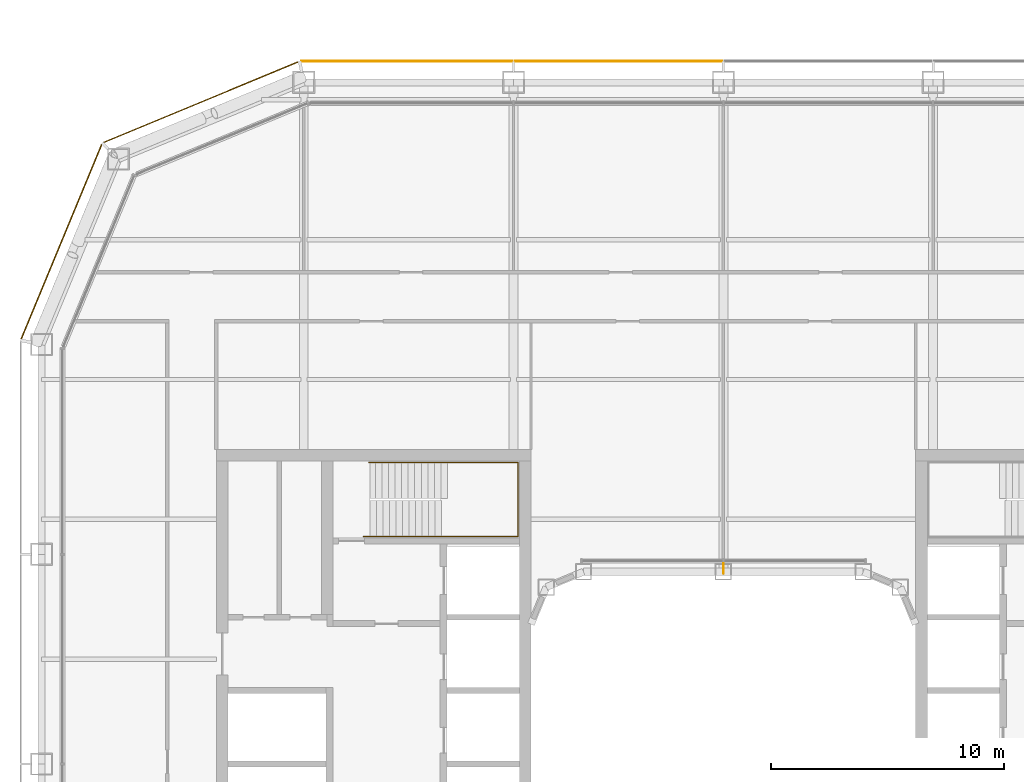
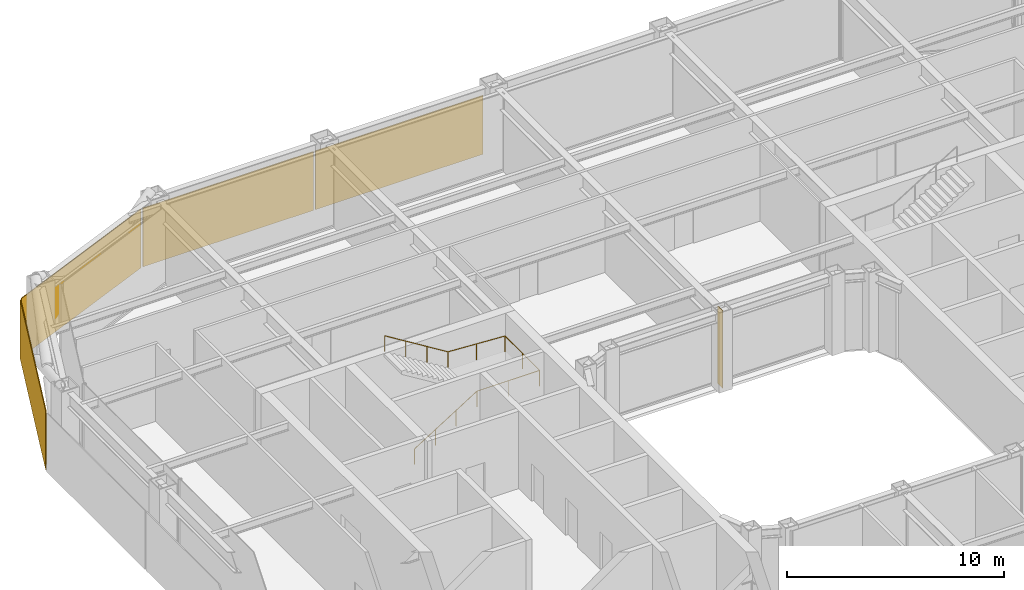
# One storey, part 21 of 23: 4 coverings, 1 railing, 1 shading device.
"""IFC4 building model written with IfcOpenShell, lengths in metres."""

import ifcopenshell
import ifcopenshell.guid

model = None  # the IFC model being written
_history = None  # IfcOwnerHistory: only IFC2X3 demands one
_inside = {}  # id of a spatial element -> (the spatial element, [elements in it])
_under = {}  # id of a project, library or spatial element -> (it, [spatial elements below it])
_declared = {}  # id of a project -> (the project, [libraries it declares])
_typed = {}  # id of a type object -> (the type object, [elements of that type])
_made_of = {}  # id of a material, layer set ... -> (it, [elements and type objects made of it])


def new_model(schema):
    """Start an empty IFC model of exactly this schema.

    Asked for "IFC4X3", IfcOpenShell would pick the latest addendum, in which some entities
    have other attributes; the version numbers below select the first issue.
    IFC2X3 requires an IfcOwnerHistory on every rooted entity: one is made here for all.
    """
    global model, _history
    if schema == "IFC4X3":
        model = ifcopenshell.file(schema_version=(4, 3, 0, 0))
    else:
        model = ifcopenshell.file(schema=schema)
    _inside.clear()
    _under.clear()
    _declared.clear()
    _typed.clear()
    _made_of.clear()
    _history = None
    if model.schema == "IFC2X3":
        org = make("IfcOrganization", Name="unknown")
        user = make(
            "IfcPersonAndOrganization",
            ThePerson=make("IfcPerson", FamilyName="unknown"),
            TheOrganization=org,
        )
        app = make(
            "IfcApplication",
            ApplicationDeveloper=org,
            Version="unknown",
            ApplicationFullName="unknown",
            ApplicationIdentifier="unknown",
        )
        _history = make(
            "IfcOwnerHistory",
            OwningUser=user,
            OwningApplication=app,
            ChangeAction="ADDED",
            CreationDate=0,
        )
    return model


def make(cls, **values):
    """One entity of the class cls with the attributes given. An attribute that is None is left unset."""
    return model.create_entity(
        cls, **{name: value for name, value in values.items() if value is not None}
    )


def rooted(cls, **values):
    """An entity with a GlobalId (a new one), such as an element, a storey or a relation."""
    return make(cls, GlobalId=ifcopenshell.guid.new(), OwnerHistory=_history, **values)


def si_unit(unit_type, name, prefix=None):
    """IfcSIUnit, for example si_unit("LENGTHUNIT", "METRE", prefix="MILLI")."""
    return make("IfcSIUnit", UnitType=unit_type, Prefix=prefix, Name=name)


def assignment(units):
    """IfcUnitAssignment: the units of a project."""
    return None if units is None else make("IfcUnitAssignment", Units=units)


def point(xyz):
    """IfcCartesianPoint."""
    return None if xyz is None else make("IfcCartesianPoint", Coordinates=xyz)


def direction(xyz):
    """IfcDirection."""
    return None if xyz is None else make("IfcDirection", DirectionRatios=xyz)


def frame(location, z_axis=None, x_axis=None):
    """IfcAxis2Placement3D, a coordinate frame: its origin and axes. An axis left out is left unset."""
    return make(
        "IfcAxis2Placement3D",
        Location=point(location),
        Axis=direction(z_axis),
        RefDirection=direction(x_axis),
    )


def frame_2d(location, x_axis=None):
    """IfcAxis2Placement2D, a coordinate frame in the plane: its origin and x axis."""
    return make(
        "IfcAxis2Placement2D", Location=point(location), RefDirection=direction(x_axis)
    )


def origin():
    """The frame at (0, 0, 0) with its axes left unset."""
    return frame((0.0, 0.0, 0.0))


def origin_2d():
    """The frame at (0, 0) in the plane with its x axis left unset."""
    return frame_2d((0.0, 0.0))


def place(relative_to, where):
    """IfcLocalPlacement: puts the frame where relative to a parent placement (None: the world)."""
    return make(
        "IfcLocalPlacement", PlacementRelTo=relative_to, RelativePlacement=where
    )


def context(
    kind, dimensions, precision=None, world=None, true_north=None, identifier=None
):
    """IfcGeometricRepresentationContext, for example the 3D "Model" context."""
    return make(
        "IfcGeometricRepresentationContext",
        ContextIdentifier=identifier,
        ContextType=kind,
        CoordinateSpaceDimension=dimensions,
        Precision=precision,
        WorldCoordinateSystem=world,
        TrueNorth=true_north,
    )


def subcontext(parent, identifier, kind, view, scale=None):
    """IfcGeometricRepresentationSubContext, for example "Body" below "Model"."""
    return make(
        "IfcGeometricRepresentationSubContext",
        ContextIdentifier=identifier,
        ContextType=kind,
        ParentContext=parent,
        TargetScale=scale,
        TargetView=view,
    )


def project(units=None, contexts=None):
    """IfcProject with its units and contexts."""
    return rooted(
        "IfcProject",
        Name="project",
        RepresentationContexts=contexts,
        UnitsInContext=assignment(units),
    )


def spatial(cls, under=None, at=None, **own):
    """A site, building, storey or space (cls), placed at a placement, below another one or the project."""
    s = rooted(cls, ObjectPlacement=at, **own)
    if under is not None:
        _under.setdefault(under.id(), (under, []))[1].append(s)
    return s


def profile(cls, at=None, kind="AREA", **sizes):
    """A parametric profile (cls). Its sizes go by their IFC names, for example OverallWidth=200.0."""
    return make(cls, ProfileType=kind, Position=at, **sizes)


def rectangle(**sizes):
    """IfcRectangleProfileDef."""
    return profile("IfcRectangleProfileDef", **sizes)


def circle(**sizes):
    """IfcCircleProfileDef."""
    return profile("IfcCircleProfileDef", **sizes)


def extrude(swept, where, along, depth):
    """IfcExtrudedAreaSolid: the profile swept, set in the frame where, extruded along a direction by depth."""
    return make(
        "IfcExtrudedAreaSolid",
        SweptArea=swept,
        Position=where,
        ExtrudedDirection=direction(along),
        Depth=depth,
    )


def shape(context_of_items, identifier, shape_type, items):
    """IfcShapeRepresentation: the items that make up one representation, for example the "Body"."""
    return make(
        "IfcShapeRepresentation",
        ContextOfItems=context_of_items,
        RepresentationIdentifier=identifier,
        RepresentationType=shape_type,
        Items=items,
    )


def material(Name=None, Category=None):
    """IfcMaterial."""
    return make("IfcMaterial", Name=Name, Category=Category)


def layer(
    of_material, thickness, ventilated=None, Name=None, Category=None, Priority=None
):
    """IfcMaterialLayer: one layer of a wall or slab, of a material (None: an air gap)."""
    return make(
        "IfcMaterialLayer",
        Material=of_material,
        LayerThickness=thickness,
        IsVentilated=ventilated,
        Name=Name,
        Category=Category,
        Priority=Priority,
    )


def layer_set(layers, Name=None):
    """IfcMaterialLayerSet."""
    return make("IfcMaterialLayerSet", MaterialLayers=layers, LayerSetName=Name)


def made_of(thing, what):
    """Note that an element or type object is made of a material, layer set ...; save() writes the relation."""
    if what is not None:
        _made_of.setdefault(what.id(), (what, []))[1].append(thing)
    return thing


def type_object(cls, material=None, **own):
    """A type object (cls), such as IfcWallType, which elements share."""
    return made_of(rooted(cls, **own), material)


def element(
    cls,
    number,
    at=None,
    inside=None,
    cuts=None,
    type_object=None,
    material=None,
    context=None,
    identifier="Body",
    shape_type=None,
    held_by="IfcProductDefinitionShape",
    body=None,
    shapes=None,
    **own,
):
    """One element of the class cls, such as IfcWall. Its Tag is "e" and its number.

    at: its placement. inside: the storey or other place that contains it. cuts: it is an
    opening in that element (IfcRelVoidsElement). A single representation is given by context,
    identifier, shape_type and body (its items); several are given by shapes. held_by: the class
    of the entity that holds the representations. save() writes the other relations.
    """
    e = rooted(cls, Tag="e%d" % number, ObjectPlacement=at, **own)
    if body is not None:
        shapes = [shape(context, identifier, shape_type, body)]
    if shapes is not None:
        e.Representation = make(held_by, Representations=shapes)
    if inside is not None:
        _inside.setdefault(inside.id(), (inside, []))[1].append(e)
    if cuts is not None:
        rooted(
            "IfcRelVoidsElement", RelatingBuildingElement=cuts, RelatedOpeningElement=e
        )
    if type_object is not None:
        _typed.setdefault(type_object.id(), (type_object, []))[1].append(e)
    return made_of(e, material)


def aggregate(whole, parts):
    """IfcRelAggregates: a whole, such as a stair, and the parts it consists of."""
    return rooted("IfcRelAggregates", RelatingObject=whole, RelatedObjects=parts)


def save(model, path):
    """Write the relations noted so far, then the file.

    IfcRelAggregates (storeys below a building ...), IfcRelContainedInSpatialStructure (elements
    in a storey), IfcRelDefinesByType, IfcRelAssociatesMaterial and IfcRelDeclares: one each for
    every whole, place, type object, material and project.
    """
    for whole, parts in _under.values():
        aggregate(whole, parts)
    for where, things in _inside.values():
        rooted(
            "IfcRelContainedInSpatialStructure",
            RelatedElements=things,
            RelatingStructure=where,
        )
    for kind, things in _typed.values():
        rooted("IfcRelDefinesByType", RelatedObjects=things, RelatingType=kind)
    for what, things in _made_of.values():
        rooted("IfcRelAssociatesMaterial", RelatedObjects=things, RelatingMaterial=what)
    for by, libraries in _declared.values():
        rooted("IfcRelDeclares", RelatingContext=by, RelatedDefinitions=libraries)
    model.write(path)


model = new_model("IFC4")

# Units and contexts
model_context = context("Model", 3, precision=1e-05, world=origin(), true_north=direction((0.0, 1.0)))
body_context = subcontext(model_context, "Body", "Model", "MODEL_VIEW")
ifc_project = project(units=[si_unit("LENGTHUNIT", "METRE"), si_unit("AREAUNIT", "SQUARE_METRE"), si_unit("VOLUMEUNIT", "CUBIC_METRE"), si_unit("PLANEANGLEUNIT", "RADIAN"), si_unit("MASSUNIT", "GRAM", prefix="KILO")], contexts=[model_context])

# Site, building, storey
site_placement = place(None, origin())
site = spatial("IfcSite", under=ifc_project, at=site_placement, CompositionType="ELEMENT")
building_placement = place(site_placement, origin())
building = spatial("IfcBuilding", under=site, at=building_placement, Name="Siwar Civic Tower", CompositionType="ELEMENT")
storey_placement = place(building_placement, frame((0.0, 0.0, 131.699951171875)))
storey = spatial("IfcBuildingStorey", under=building, at=storey_placement, Name="L28", CompositionType="ELEMENT", Elevation=131.699951171875)

# Railing
ifc_material_1 = material(Name="Stainless steel", Category="steel")
railing_type = type_object("IfcRailingType", Name="CORE-STAIR-HANDRAIL", PredefinedType="HANDRAIL", material=ifc_material_1)
railing_placement = place(storey_placement, frame((-15.449951171875, 9.758056640625, 0.173095703125)))
element("IfcRailing", 1, at=railing_placement, inside=storey, type_object=railing_type, Name="Stair handrail ST1", PredefinedType="HANDRAIL", context=body_context, shape_type="SweptSolid", body=[
    extrude(circle(Radius=0.02001953125, at=origin_2d()), frame((0.0, 0.0, 0.8798828125), z_axis=(0.847063342986, 0.0, 0.531491950051), x_axis=(0.0, 1.0, 0.0)), (0.0, 0.0, 1.0), 3.90771484375),
    extrude(circle(Radius=0.02001953125, at=origin_2d()), frame((3.31005859375, 0.0, 2.956787109375), z_axis=(1.0, 0.0, 0.0), x_axis=(0.0, 1.0, 0.0)), (0.0, 0.0, 1.0), 3.331787109375),
    extrude(circle(Radius=0.02001953125, at=origin_2d()), frame((6.641845703125, 0.0, 2.956787109375), z_axis=(0.0, 1.0, 0.0), x_axis=(-1.0, 0.0, 0.0)), (0.0, 0.0, 1.0), 3.183837890625),
    extrude(circle(Radius=0.02001953125, at=origin_2d()), frame((6.641845703125, 3.183837890625, 2.956787109375), z_axis=(-0.99837434197, 0.0, 0.056997134106), x_axis=(0.0, -1.0, 0.0)), (0.0, 0.0, 1.0), 3.036865234375),
    extrude(circle(Radius=0.02001953125, at=origin_2d()), frame((3.60986328125, 3.183837890625, 3.1298828125), z_axis=(-0.850606129759, 0.0, 0.525803396734), x_axis=(0.0, -1.0, 0.0)), (0.0, 0.0, 1.0), 3.949951171875),
    extrude(circle(Radius=0.02001953125, at=origin_2d()), origin(), (0.0, 0.0, 1.0), 0.85986328125),
    extrude(circle(Radius=0.02001953125, at=origin_2d()), frame((1.103271484375, 0.0, 0.6923828125)), (0.0, 0.0, 1.0), 0.85986328125),
    extrude(circle(Radius=0.02001953125, at=origin_2d()), frame((2.206787109375, 0.0, 1.384521484375)), (0.0, 0.0, 1.0), 0.85986328125),
    extrude(circle(Radius=0.02001953125, at=origin_2d()), frame((3.31005859375, 0.0, 2.076904296875)), (0.0, 0.0, 1.0), 0.85986328125),
    extrude(circle(Radius=0.02001953125, at=origin_2d()), frame((4.97607421875, 0.0, 2.076904296875)), (0.0, 0.0, 1.0), 0.85986328125),
    extrude(circle(Radius=0.02001953125, at=origin_2d()), frame((6.641845703125, 0.0, 2.076904296875)), (0.0, 0.0, 1.0), 0.85986328125),
    extrude(circle(Radius=0.02001953125, at=origin_2d()), frame((6.641845703125, 1.591796875, 2.076904296875)), (0.0, 0.0, 1.0), 0.85986328125),
    extrude(circle(Radius=0.02001953125, at=origin_2d()), frame((6.641845703125, 3.183837890625, 2.076904296875)), (0.0, 0.0, 1.0), 0.85986328125),
    extrude(circle(Radius=0.02001953125, at=origin_2d()), frame((5.1259765625, 3.183837890625, 2.16357421875)), (0.0, 0.0, 1.0), 0.85986328125),
    extrude(circle(Radius=0.02001953125, at=origin_2d()), frame((3.60986328125, 3.183837890625, 2.25)), (0.0, 0.0, 1.0), 0.85986328125),
    extrude(circle(Radius=0.02001953125, at=origin_2d()), frame((2.489990234375, 3.183837890625, 2.9423828125)), (0.0, 0.0, 1.0), 0.85986328125),
    extrude(circle(Radius=0.02001953125, at=origin_2d()), frame((1.369873046875, 3.183837890625, 3.634521484375)), (0.0, 0.0, 1.0), 0.85986328125),
    extrude(circle(Radius=0.02001953125, at=origin_2d()), frame((0.25, 3.183837890625, 4.326904296875)), (0.0, 0.0, 1.0), 0.85986328125),
])

# Shading device
ifc_material_2 = material(Name="Aluminium 6063-T6", Category="aluminium")
ifc_layer_1 = layer(ifc_material_2, 0.02001953125)
ifc_layer_set_1 = layer_set([ifc_layer_1], Name="Aluminium 6063-T6")
shading_device_type = type_object("IfcShadingDeviceType", Name="ENV-FIN", PredefinedType="JALOUSIE", material=ifc_layer_set_1)
shading_device_placement = place(storey_placement, frame((0.0, 8.39501953125, 0.0), z_axis=(0.0, 0.0, 1.0), x_axis=(-1.0, 0.0, 0.0)))
element("IfcShadingDevice", 2, at=shading_device_placement, inside=storey, type_object=shading_device_type, Name="SUNSHADE fin WN 1", PredefinedType="JALOUSIE", context=body_context, shape_type="SweptSolid", body=[
    extrude(rectangle(XDim=0.02001953125, YDim=0.449951171875, at=origin_2d()), origin(), (0.0, 0.0, 1.0), 4.35009765625),
])

# Coverings
ifc_material_3 = material(Name="Perforated aluminium cassette, pale metal", Category="aluminium")
ifc_layer_2 = layer(ifc_material_3, 0.0400390625)
ifc_layer_set_2 = layer_set([ifc_layer_2], Name="Perforated aluminium cassette, pale metal")
covering_type_1 = type_object("IfcCoveringType", Name="ENV-OUTER SKIN OS-1", PredefinedType="CLADDING", material=ifc_layer_set_2)
covering_1_placement = place(storey_placement, frame((-4.5, 30.14990234375, -0.14990234375), z_axis=(0.0, 0.0, 1.0), x_axis=(-1.0, 0.0, 0.0)))
element("IfcCovering", 3, at=covering_1_placement, inside=storey, type_object=covering_type_1, Name="OUTER SKIN OS-1 N 3", PredefinedType="CLADDING", context=body_context, shape_type="SweptSolid", body=[
    extrude(rectangle(XDim=8.89990234375, YDim=0.0400390625, at=origin_2d()), origin(), (0.0, 0.0, 1.0), 3.300048828125),
])
covering_2_placement = place(storey_placement, frame((-13.57958984375, 30.14990234375, -0.14990234375), z_axis=(0.0, 0.0, 1.0), x_axis=(-1.0, 0.0, 0.0)))
element("IfcCovering", 4, at=covering_2_placement, inside=storey, type_object=covering_type_1, Name="OUTER SKIN OS-1 N 4", PredefinedType="CLADDING", context=body_context, shape_type="SweptSolid", body=[
    extrude(rectangle(XDim=9.05908203125, YDim=0.0400390625, at=origin_2d()), origin(), (0.0, 0.0, 1.0), 3.300048828125),
])
covering_3_placement = place(storey_placement, frame((-22.411376953125, 28.39697265625, -0.14990234375), z_axis=(0.0, 0.0, 1.0), x_axis=(-0.923879532511, -0.382683432365, 0.0)))
element("IfcCovering", 5, at=covering_3_placement, inside=storey, type_object=covering_type_1, Name="OUTER SKIN OS-1 NW1 1", PredefinedType="CLADDING", context=body_context, shape_type="SweptSolid", body=[
    extrude(rectangle(XDim=9.022216796875, YDim=0.0400390625, at=origin_2d()), origin(), (0.0, 0.0, 1.0), 3.300048828125),
])
ifc_material_4 = material(Name="Perforated aluminium cassette, pale metal", Category="aluminium")
ifc_layer_3 = layer(ifc_material_4, 0.044921875)
ifc_layer_set_3 = layer_set([ifc_layer_3], Name="Perforated aluminium cassette, pale metal")
covering_type_2 = type_object("IfcCoveringType", Name="ENV-OUTER SKIN OS-2", PredefinedType="CLADDING", material=ifc_layer_set_3)
covering_4_placement = place(storey_placement, frame((-28.39697265625, 22.411376953125, -0.14990234375), z_axis=(0.0, 0.0, 1.0), x_axis=(-0.382683432365, -0.923879532511, 0.0)))
element("IfcCovering", 6, at=covering_4_placement, inside=storey, type_object=covering_type_2, Name="OUTER SKIN OS-2 NW2 1", PredefinedType="CLADDING", context=body_context, shape_type="SweptSolid", body=[
    extrude(rectangle(XDim=9.022216796875, YDim=0.044921875, at=origin_2d()), origin(), (0.0, 0.0, 1.0), 3.300048828125),
])

save(model, "model.ifc")
